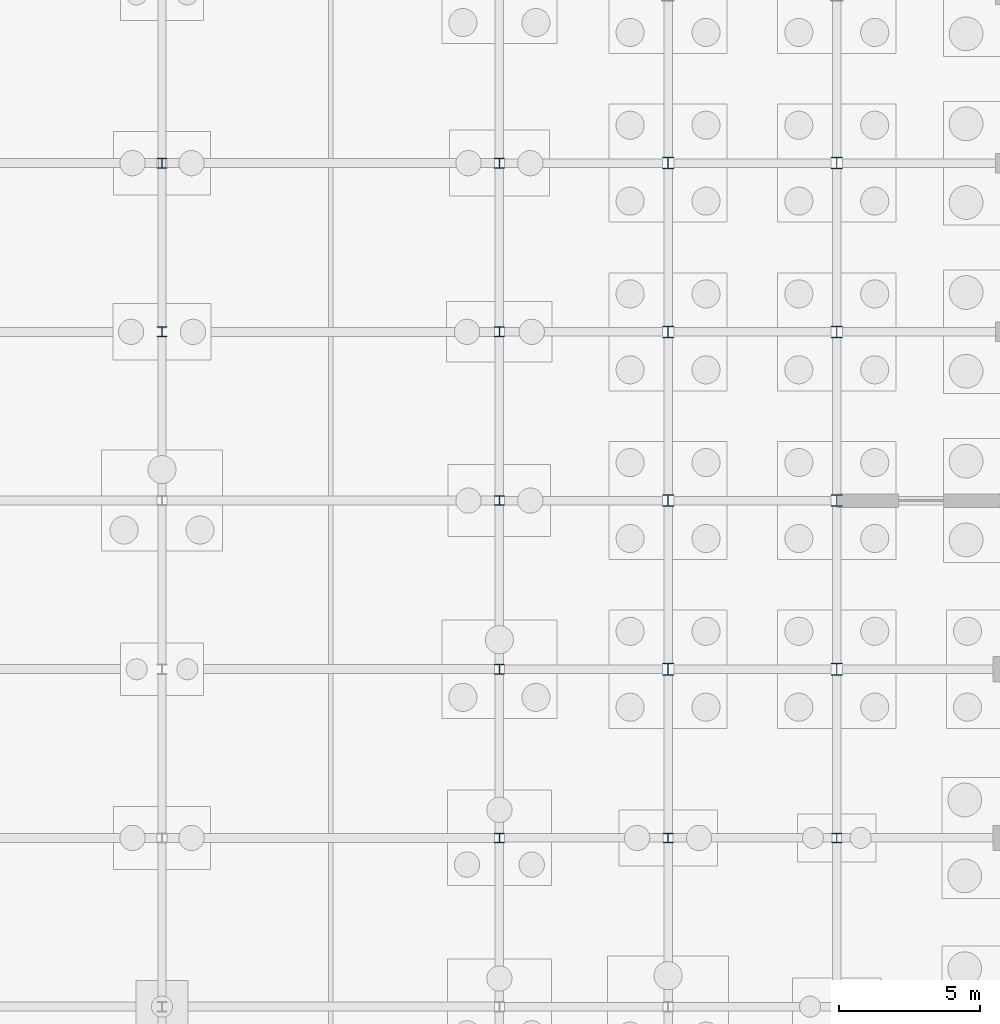
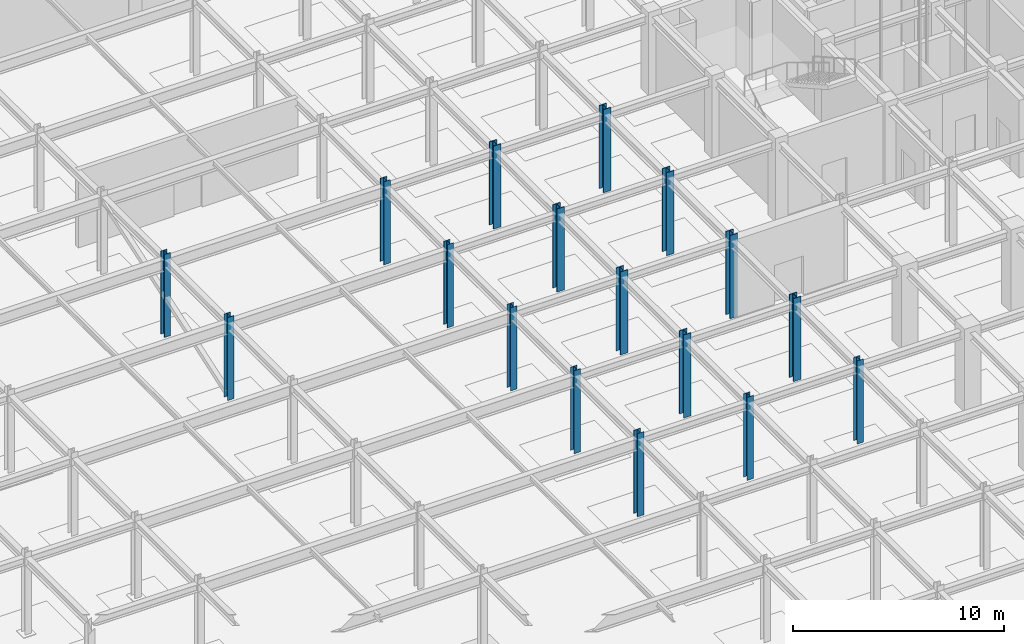
# One storey, part 22 of 69: 17 columns.
"""IFC4 building model written with IfcOpenShell, lengths in metres."""

from ifc_helpers import new_model, si_unit, direction, frame, origin, origin_2d, place, context, subcontext, project, spatial, i_section, extrude, material, material_profile, profile_set, type_object, element, save


model = new_model("IFC4")

# Units and contexts
model_context = context("Model", 3, precision=1e-05, world=origin(), true_north=direction((0.0, 1.0)))
body_context = subcontext(model_context, "Body", "Model", "MODEL_VIEW")
ifc_project = project(units=[si_unit("LENGTHUNIT", "METRE"), si_unit("AREAUNIT", "SQUARE_METRE"), si_unit("VOLUMEUNIT", "CUBIC_METRE"), si_unit("PLANEANGLEUNIT", "RADIAN"), si_unit("MASSUNIT", "GRAM", prefix="KILO")], contexts=[model_context])

# Site, building, storey
site_placement = place(None, origin())
site = spatial("IfcSite", under=ifc_project, at=site_placement, CompositionType="ELEMENT")
building_placement = place(site_placement, origin())
building = spatial("IfcBuilding", under=site, at=building_placement, Name="Zlatovratsky Civic Hall", CompositionType="ELEMENT")
storey_placement = place(building_placement, frame((0.0, 0.0, -4.800048828125)))
storey = spatial("IfcBuildingStorey", under=building, at=storey_placement, Name="B1", CompositionType="ELEMENT", Elevation=-4.800048828125)

# Columns
ifc_material = material(Name="Steel S355", Category="steel")
ifc_material_profile_1 = material_profile(ifc_material, i_section(OverallWidth=0.35009765625, OverallDepth=0.35009765625, WebThickness=0.011962890625, FlangeThickness=0.01904296875, FilletRadius=0.02001953125, at=origin_2d()), Name="35K2")
ifc_profile_set_1 = profile_set([ifc_material_profile_1], Name="Steel S355")
column_type_1 = type_object("IfcColumnType", Name="Col_Steel_35K2", PredefinedType="COLUMN", material=ifc_profile_set_1)
for number, where, z_axis, x_axis, name in (
    (1, (48.0, 66.0, 0.0), (0.0, 0.0, 1.0), (1.0, 0.0, 0.0), "CL-0215"),
    (2, (54.0, 66.0, 0.0), (0.0, 0.0, 1.0), (1.0, 0.0, 0.0), "CL-0216"),
    (3, (60.0, 66.0, 0.0), (0.0, 0.0, 1.0), (1.0, 0.0, 0.0), "CL-0217"),
    (4, (48.0, 72.0, 0.0), (0.0, 0.0, 1.0), (1.0, 0.0, 0.0), "CL-0238"),
    (5, (48.0, 78.0, 0.0), (0.0, 0.0, 1.0), (1.0, 0.0, 0.0), "CL-0261"),
    (6, (36.0, 84.0, 0.0), (0.0, 0.0, 1.0), (1.0, 0.0, 0.0), "CL-0283"),
    (7, (48.0, 84.0, 0.0), (0.0, 0.0, 1.0), (1.0, 0.0, 0.0), "CL-0284"),
    (8, (36.0, 90.0, 0.0), (0.0, 0.0, 1.0), (1.0, 0.0, 0.0), "CL-0306"),
    (9, (48.0, 90.0, 0.0), (0.0, 0.0, 1.0), (1.0, 0.0, 0.0), "CL-0307"),
):
    element("IfcColumn", number, at=place(storey_placement, frame(where, z_axis=z_axis, x_axis=x_axis)), inside=storey, type_object=column_type_1, Name=name, PredefinedType="COLUMN", context=body_context, shape_type="SweptSolid", body=[
        extrude(i_section(OverallWidth=0.35009765625, OverallDepth=0.35009765625, WebThickness=0.011962890625, FlangeThickness=0.01904296875, FilletRadius=0.02001953125, at=origin_2d()), origin(), (0.0, 0.0, 1.0), 4.800048828125),
    ])
ifc_material_profile_2 = material_profile(ifc_material, i_section(OverallWidth=0.408935546875, OverallDepth=0.428955078125, WebThickness=0.02392578125, FlangeThickness=0.035400390625, FilletRadius=0.02197265625, at=origin_2d()), Name="40K5")
ifc_profile_set_2 = profile_set([ifc_material_profile_2], Name="Steel S355")
column_type_2 = type_object("IfcColumnType", Name="Col_Steel_40K5", PredefinedType="COLUMN", material=ifc_profile_set_2)
for number, where, z_axis, x_axis, name in (
    (10, (54.0, 72.0, 0.0), (0.0, 0.0, 1.0), (1.0, 0.0, 0.0), "CL-0239"),
    (11, (60.0, 72.0, 0.0), (0.0, 0.0, 1.0), (1.0, 0.0, 0.0), "CL-0240"),
    (12, (54.0, 78.0, 0.0), (0.0, 0.0, 1.0), (1.0, 0.0, 0.0), "CL-0262"),
    (13, (60.0, 78.0, 0.0), (0.0, 0.0, 1.0), (1.0, 0.0, 0.0), "CL-0263"),
    (14, (54.0, 84.0, 0.0), (0.0, 0.0, 1.0), (1.0, 0.0, 0.0), "CL-0285"),
    (15, (60.0, 84.0, 0.0), (0.0, 0.0, 1.0), (1.0, 0.0, 0.0), "CL-0286"),
    (16, (54.0, 90.0, 0.0), (0.0, 0.0, 1.0), (1.0, 0.0, 0.0), "CL-0308"),
    (17, (60.0, 90.0, 0.0), (0.0, 0.0, 1.0), (1.0, 0.0, 0.0), "CL-0309"),
):
    element("IfcColumn", number, at=place(storey_placement, frame(where, z_axis=z_axis, x_axis=x_axis)), inside=storey, type_object=column_type_2, Name=name, PredefinedType="COLUMN", context=body_context, shape_type="SweptSolid", body=[
        extrude(i_section(OverallWidth=0.408935546875, OverallDepth=0.428955078125, WebThickness=0.02392578125, FlangeThickness=0.035400390625, FilletRadius=0.02197265625, at=origin_2d()), origin(), (0.0, 0.0, 1.0), 4.800048828125),
    ])

save(model, "model.ifc")
